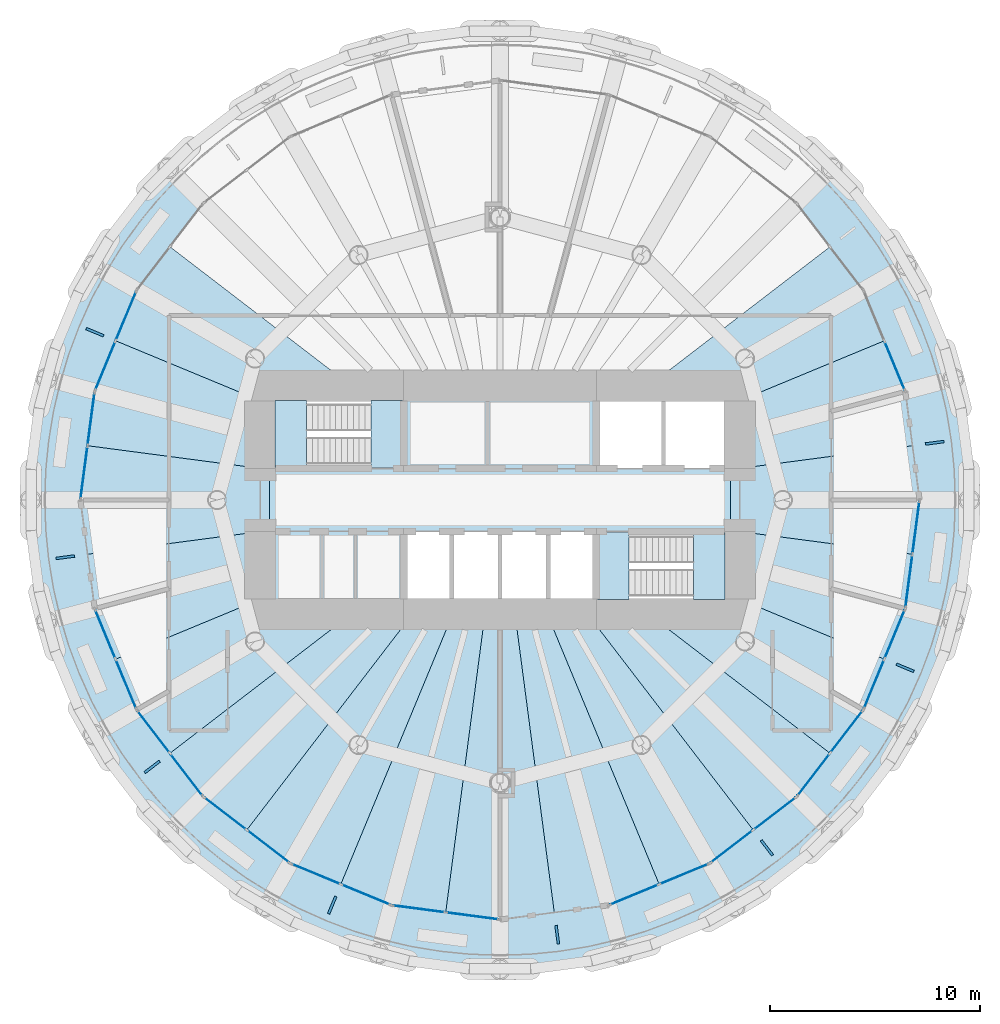
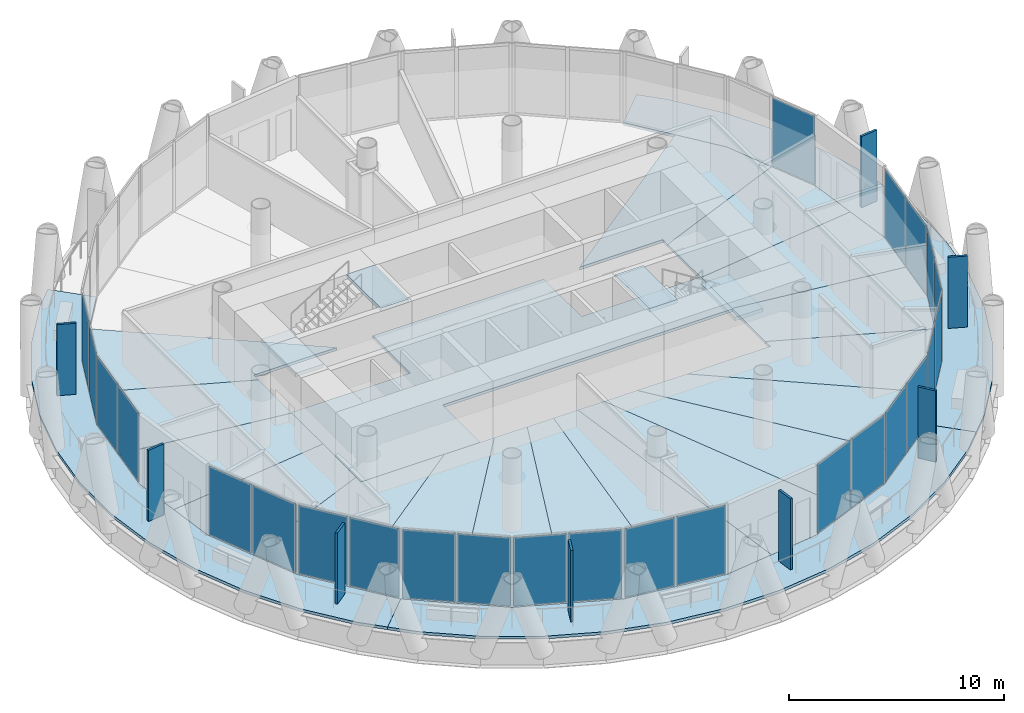
# One storey, part 7 of 14: 33 plates, 25 slabs, 15 elements without a shape of their own.
"""IFC4 building model written with IfcOpenShell, lengths in metres."""

from ifc_helpers import new_model, si_unit, direction, frame, origin, origin_2d, place, context, subcontext, project, spatial, polyline, rectangle, outline, extrude, material, layer, layer_set, type_object, element, aggregate, save


model = new_model("IFC4")

# Units and contexts
model_context = context("Model", 3, precision=1e-05, world=origin(), true_north=direction((0.0, 1.0)))
body_context = subcontext(model_context, "Body", "Model", "MODEL_VIEW")
ifc_project = project(units=[si_unit("LENGTHUNIT", "METRE"), si_unit("AREAUNIT", "SQUARE_METRE"), si_unit("VOLUMEUNIT", "CUBIC_METRE"), si_unit("PLANEANGLEUNIT", "RADIAN"), si_unit("MASSUNIT", "GRAM", prefix="KILO")], contexts=[model_context])

# Site, building, storey
site_placement = place(None, origin())
site = spatial("IfcSite", under=ifc_project, at=site_placement, CompositionType="ELEMENT")
building_placement = place(site_placement, origin())
building = spatial("IfcBuilding", under=site, at=building_placement, Name="Qaws Media Tower", CompositionType="ELEMENT")
storey_placement = place(building_placement, frame((0.0, 0.0, 240.199951171875)))
storey = spatial("IfcBuildingStorey", under=building, at=storey_placement, Name="L55", CompositionType="ELEMENT", Elevation=240.199951171875)

# Slabs
ifc_material_1 = material(Name="Concrete C35/45", Category="concrete")
ifc_layer_1 = layer(ifc_material_1, 0.159912109375)
ifc_layer_set_1 = layer_set([ifc_layer_1], Name="Composite balcony slab 160")
slab_type_1 = type_object("IfcSlabType", Name="Composite balcony slab 160", PredefinedType="FLOOR", material=ifc_layer_set_1)
slab_1_placement = place(storey_placement, frame((0.0, 0.0, -0.159912109375)))
element("IfcSlab", 1, at=slab_1_placement, inside=storey, type_object=slab_type_1, Name="S2 balcony slab L55 R10 to R16, movement joints on R10 and R16", PredefinedType="FLOOR", context=body_context, shape_type="SweptSolid", body=[
    extrude(outline(polyline([(43.139892578125, 35.214111328125), (41.354248046875, 37.541259765625), (39.8876953125, 40.081787109375), (38.76513671875, 42.791748046875), (38.005859375, 45.625), (37.623046875, 48.533203125), (37.623046875, 51.466796875), (38.005859375, 54.375), (38.76513671875, 57.208251953125), (39.8876953125, 59.918212890625), (41.354248046875, 62.458740234375), (43.139892578125, 64.785888671875), (44.177001953125, 65.822998046875), (45.840087890625, 64.159912109375), (42.65771484375, 60.012451171875), (40.6572265625, 55.182861328125), (39.97509765625, 50.0), (40.6572265625, 44.817138671875), (42.65771484375, 39.987548828125), (45.840087890625, 35.840087890625), (44.177001953125, 34.177001953125), (43.139892578125, 35.214111328125)])), origin(), (0.0, 0.0, 1.0), 0.159912109375),
])
slab_2_placement = place(storey_placement, frame((0.0, 0.0, -0.159912109375)))
element("IfcSlab", 2, at=slab_2_placement, inside=storey, type_object=slab_type_1, Name="S2 balcony slab L55 R16 to R22, movement joints on R16 and R22", PredefinedType="FLOOR", context=body_context, shape_type="SweptSolid", body=[
    extrude(outline(polyline([(74.785888671875, 33.139892578125), (72.458740234375, 31.354248046875), (69.918212890625, 29.8876953125), (67.208251953125, 28.76513671875), (64.375, 28.005859375), (61.466796875, 27.623046875), (58.533203125, 27.623046875), (55.625, 28.005859375), (52.791748046875, 28.76513671875), (50.081787109375, 29.8876953125), (47.541259765625, 31.354248046875), (45.214111328125, 33.139892578125), (44.177001953125, 34.177001953125), (45.840087890625, 35.840087890625), (49.987548828125, 32.65771484375), (54.817138671875, 30.6572265625), (60.0, 29.97509765625), (65.182861328125, 30.6572265625), (70.012451171875, 32.65771484375), (74.159912109375, 35.840087890625), (75.822998046875, 34.177001953125), (74.785888671875, 33.139892578125)])), origin(), (0.0, 0.0, 1.0), 0.159912109375),
])
slab_3_placement = place(storey_placement, frame((0.0, 0.0, -0.159912109375)))
element("IfcSlab", 3, at=slab_3_placement, inside=storey, type_object=slab_type_1, Name="S2 balcony slab L55 R22 to R04, movement joints on R22 and R04", PredefinedType="FLOOR", context=body_context, shape_type="SweptSolid", body=[
    extrude(outline(polyline([(81.994140625, 45.625), (81.23486328125, 42.791748046875), (80.1123046875, 40.081787109375), (78.645751953125, 37.541259765625), (76.860107421875, 35.214111328125), (75.822998046875, 34.177001953125), (74.159912109375, 35.840087890625), (77.34228515625, 39.987548828125), (79.3427734375, 44.817138671875), (80.02490234375, 50.0), (79.3427734375, 55.182861328125), (77.34228515625, 60.012451171875), (74.159912109375, 64.159912109375), (75.822998046875, 65.822998046875), (76.860107421875, 64.785888671875), (78.645751953125, 62.458740234375), (80.1123046875, 59.918212890625), (81.23486328125, 57.208251953125), (81.994140625, 54.375), (82.376953125, 51.466796875), (82.376953125, 48.533203125), (81.994140625, 45.625)])), origin(), (0.0, 0.0, 1.0), 0.159912109375),
])
ifc_material_2 = material(Name="Concrete C35/45", Category="concrete")
ifc_layer_2 = layer(ifc_material_2, 0.159912109375)
ifc_layer_set_2 = layer_set([ifc_layer_2], Name="Composite floor slab 160")
slab_type_2 = type_object("IfcSlabType", Name="Composite floor slab 160", PredefinedType="FLOOR", material=ifc_layer_set_2)
slab_4_placement = place(storey_placement, frame((0.0, 0.0, -0.159912109375)))
element("IfcSlab", 4, at=slab_4_placement, inside=storey, type_object=slab_type_2, Name="S1 core floor slab L55", PredefinedType="FLOOR", context=body_context, shape_type="SweptSolid", body=[
    extrude(outline(polyline([(71.0, 51.5), (71.0, 48.5), (55.39990234375, 48.5), (55.39990234375, 45.0), (49.0, 45.0), (49.0, 51.5), (55.39990234375, 51.5), (55.39990234375, 55.0), (64.60009765625, 55.0), (64.60009765625, 51.5), (71.0, 51.5)])), origin(), (0.0, 0.0, 1.0), 0.159912109375),
])
slab_5_placement = place(storey_placement, frame((0.0, 0.0, -0.159912109375)))
element("IfcSlab", 5, at=slab_5_placement, inside=storey, type_object=slab_type_2, Name="S1 floor panel L55 on R01", PredefinedType="FLOOR", context=body_context, shape_type="SweptSolid", body=[
    extrude(outline(polyline([(80.02490234375, 50.0), (79.683837890625, 47.40869140625), (71.0, 48.5517578125), (71.0, 51.4482421875), (79.683837890625, 52.59130859375), (80.02490234375, 50.0)])), origin(), (0.0, 0.0, 1.0), 0.159912109375),
])
slab_6_placement = place(storey_placement, frame((0.0, 0.0, -0.159912109375)))
element("IfcSlab", 6, at=slab_6_placement, inside=storey, type_object=slab_type_2, Name="S1 floor panel L55 on R02", PredefinedType="FLOOR", context=body_context, shape_type="SweptSolid", body=[
    extrude(outline(polyline([(79.3427734375, 55.182861328125), (79.683837890625, 52.59130859375), (71.0, 51.4482421875), (71.0, 54.556396484375), (78.34228515625, 57.59765625), (79.3427734375, 55.182861328125)])), origin(), (0.0, 0.0, 1.0), 0.159912109375),
])
slab_7_placement = place(storey_placement, frame((0.0, 0.0, -0.159912109375)))
element("IfcSlab", 7, at=slab_7_placement, inside=storey, type_object=slab_type_2, Name="S1 floor panel L55 on R03", PredefinedType="FLOOR", context=body_context, shape_type="SweptSolid", body=[
    extrude(outline(polyline([(77.34228515625, 60.012451171875), (78.34228515625, 57.59765625), (71.0, 54.556396484375), (71.0, 55.0), (66.51611328125, 55.0), (75.7509765625, 62.086181640625), (77.34228515625, 60.012451171875)])), origin(), (0.0, 0.0, 1.0), 0.159912109375),
])
slab_8_placement = place(storey_placement, frame((0.0, 0.0, -0.159912109375)))
element("IfcSlab", 8, at=slab_8_placement, inside=storey, type_object=slab_type_2, Name="S1 floor panel L55 on R11", PredefinedType="FLOOR", context=body_context, shape_type="SweptSolid", body=[
    extrude(outline(polyline([(42.65771484375, 60.012451171875), (44.2490234375, 62.086181640625), (53.48388671875, 55.0), (49.0, 55.0), (49.0, 54.556396484375), (41.65771484375, 57.59765625), (42.65771484375, 60.012451171875)])), origin(), (0.0, 0.0, 1.0), 0.159912109375),
])
slab_9_placement = place(storey_placement, frame((0.0, 0.0, -0.159912109375)))
element("IfcSlab", 9, at=slab_9_placement, inside=storey, type_object=slab_type_2, Name="S1 floor panel L55 on R12", PredefinedType="FLOOR", context=body_context, shape_type="SweptSolid", body=[
    extrude(outline(polyline([(40.6572265625, 55.182861328125), (41.65771484375, 57.59765625), (49.0, 54.556396484375), (49.0, 51.4482421875), (40.316162109375, 52.59130859375), (40.6572265625, 55.182861328125)])), origin(), (0.0, 0.0, 1.0), 0.159912109375),
])
slab_10_placement = place(storey_placement, frame((0.0, 0.0, -0.159912109375)))
element("IfcSlab", 10, at=slab_10_placement, inside=storey, type_object=slab_type_2, Name="S1 floor panel L55 on R13", PredefinedType="FLOOR", context=body_context, shape_type="SweptSolid", body=[
    extrude(outline(polyline([(39.97509765625, 50.0), (40.316162109375, 52.59130859375), (49.0, 51.4482421875), (49.0, 48.5517578125), (40.316162109375, 47.40869140625), (39.97509765625, 50.0)])), origin(), (0.0, 0.0, 1.0), 0.159912109375),
])
slab_11_placement = place(storey_placement, frame((0.0, 0.0, -0.159912109375)))
element("IfcSlab", 11, at=slab_11_placement, inside=storey, type_object=slab_type_2, Name="S1 floor panel L55 on R14", PredefinedType="FLOOR", context=body_context, shape_type="SweptSolid", body=[
    extrude(outline(polyline([(40.6572265625, 44.817138671875), (40.316162109375, 47.40869140625), (49.0, 48.5517578125), (49.0, 45.443603515625), (41.65771484375, 42.40234375), (40.6572265625, 44.817138671875)])), origin(), (0.0, 0.0, 1.0), 0.159912109375),
])
slab_12_placement = place(storey_placement, frame((0.0, 0.0, -0.159912109375)))
element("IfcSlab", 12, at=slab_12_placement, inside=storey, type_object=slab_type_2, Name="S1 floor panel L55 on R15", PredefinedType="FLOOR", context=body_context, shape_type="SweptSolid", body=[
    extrude(outline(polyline([(42.65771484375, 39.987548828125), (41.65771484375, 42.40234375), (49.0, 45.443603515625), (49.0, 45.0), (53.48388671875, 45.0), (44.2490234375, 37.913818359375), (42.65771484375, 39.987548828125)])), origin(), (0.0, 0.0, 1.0), 0.159912109375),
])
slab_13_placement = place(storey_placement, frame((0.0, 0.0, -0.159912109375)))
element("IfcSlab", 13, at=slab_13_placement, inside=storey, type_object=slab_type_2, Name="S1 floor panel L55 on R16", PredefinedType="FLOOR", context=body_context, shape_type="SweptSolid", body=[
    extrude(outline(polyline([(45.840087890625, 35.840087890625), (44.2490234375, 37.913818359375), (53.48388671875, 45.0), (56.163330078125, 45.0), (47.913818359375, 34.2490234375), (45.840087890625, 35.840087890625)])), origin(), (0.0, 0.0, 1.0), 0.159912109375),
])
slab_14_placement = place(storey_placement, frame((0.0, 0.0, -0.159912109375)))
element("IfcSlab", 14, at=slab_14_placement, inside=storey, type_object=slab_type_2, Name="S1 floor panel L55 on R17", PredefinedType="FLOOR", context=body_context, shape_type="SweptSolid", body=[
    extrude(outline(polyline([(49.987548828125, 32.65771484375), (47.913818359375, 34.2490234375), (56.163330078125, 45.0), (57.928955078125, 45.0), (52.40234375, 31.65771484375), (49.987548828125, 32.65771484375)])), origin(), (0.0, 0.0, 1.0), 0.159912109375),
])
slab_15_placement = place(storey_placement, frame((0.0, 0.0, -0.159912109375)))
element("IfcSlab", 15, at=slab_15_placement, inside=storey, type_object=slab_type_2, Name="S1 floor panel L55 on R18", PredefinedType="FLOOR", context=body_context, shape_type="SweptSolid", body=[
    extrude(outline(polyline([(54.817138671875, 30.6572265625), (52.40234375, 31.65771484375), (57.928955078125, 45.0), (59.341796875, 45.0), (57.40869140625, 30.316162109375), (54.817138671875, 30.6572265625)])), origin(), (0.0, 0.0, 1.0), 0.159912109375),
])
slab_16_placement = place(storey_placement, frame((0.0, 0.0, -0.159912109375)))
element("IfcSlab", 16, at=slab_16_placement, inside=storey, type_object=slab_type_2, Name="S1 floor panel L55 on R19", PredefinedType="FLOOR", context=body_context, shape_type="SweptSolid", body=[
    extrude(outline(polyline([(60.0, 29.97509765625), (57.40869140625, 30.316162109375), (59.341796875, 45.0), (60.658203125, 45.0), (62.59130859375, 30.316162109375), (60.0, 29.97509765625)])), origin(), (0.0, 0.0, 1.0), 0.159912109375),
])
slab_17_placement = place(storey_placement, frame((0.0, 0.0, -0.159912109375)))
element("IfcSlab", 17, at=slab_17_placement, inside=storey, type_object=slab_type_2, Name="S1 floor panel L55 on R20", PredefinedType="FLOOR", context=body_context, shape_type="SweptSolid", body=[
    extrude(outline(polyline([(65.182861328125, 30.6572265625), (62.59130859375, 30.316162109375), (60.658203125, 45.0), (62.071044921875, 45.0), (67.59765625, 31.65771484375), (65.182861328125, 30.6572265625)])), origin(), (0.0, 0.0, 1.0), 0.159912109375),
])
slab_18_placement = place(storey_placement, frame((0.0, 0.0, -0.159912109375)))
element("IfcSlab", 18, at=slab_18_placement, inside=storey, type_object=slab_type_2, Name="S1 floor panel L55 on R21", PredefinedType="FLOOR", context=body_context, shape_type="SweptSolid", body=[
    extrude(outline(polyline([(70.012451171875, 32.65771484375), (67.59765625, 31.65771484375), (62.071044921875, 45.0), (63.836669921875, 45.0), (72.086181640625, 34.2490234375), (70.012451171875, 32.65771484375)])), origin(), (0.0, 0.0, 1.0), 0.159912109375),
])
slab_19_placement = place(storey_placement, frame((0.0, 0.0, -0.159912109375)))
element("IfcSlab", 19, at=slab_19_placement, inside=storey, type_object=slab_type_2, Name="S1 floor panel L55 on R22", PredefinedType="FLOOR", context=body_context, shape_type="SweptSolid", body=[
    extrude(outline(polyline([(74.159912109375, 35.840087890625), (72.086181640625, 34.2490234375), (63.836669921875, 45.0), (66.51611328125, 45.0), (75.7509765625, 37.913818359375), (74.159912109375, 35.840087890625)])), origin(), (0.0, 0.0, 1.0), 0.159912109375),
])
slab_20_placement = place(storey_placement, frame((0.0, 0.0, -0.159912109375)))
element("IfcSlab", 20, at=slab_20_placement, inside=storey, type_object=slab_type_2, Name="S1 floor panel L55 on R23", PredefinedType="FLOOR", context=body_context, shape_type="SweptSolid", body=[
    extrude(outline(polyline([(77.34228515625, 39.987548828125), (75.7509765625, 37.913818359375), (66.51611328125, 45.0), (71.0, 45.0), (71.0, 45.443603515625), (78.34228515625, 42.40234375), (77.34228515625, 39.987548828125)])), origin(), (0.0, 0.0, 1.0), 0.159912109375),
])
slab_21_placement = place(storey_placement, frame((0.0, 0.0, -0.159912109375)))
element("IfcSlab", 21, at=slab_21_placement, inside=storey, type_object=slab_type_2, Name="S1 floor panel L55 on R24", PredefinedType="FLOOR", context=body_context, shape_type="SweptSolid", body=[
    extrude(outline(polyline([(78.34228515625, 42.40234375), (71.0, 45.443603515625), (71.0, 48.5517578125), (79.683837890625, 47.40869140625), (79.3427734375, 44.817138671875), (78.34228515625, 42.40234375)])), origin(), (0.0, 0.0, 1.0), 0.159912109375),
])

# Curtain wall, plate
ifc_material_3 = material(Name="Aluminium and clear glass", Category="aluminium")
curtain_wall_type = type_object("IfcCurtainWallType", Name="Unitised curtain wall CW-C", PredefinedType="NOTDEFINED", material=ifc_material_3)
curtain_wall_1_placement = place(storey_placement, origin())
curtain_wall_1 = element("IfcCurtainWall", 22, at=curtain_wall_1_placement, inside=storey, type_object=curtain_wall_type, Name="CWC curtain wall L55-02", PredefinedType="NOTDEFINED")
ifc_material_4 = material(Name="Clear laminated double glazing", Category="glass")
ifc_layer_3 = layer(ifc_material_4, 0.031982421875)
ifc_layer_set_3 = layer_set([ifc_layer_3], Name="Curtain wall glass unit 32")
plate_type_1 = type_object("IfcPlateType", Name="Curtain wall glass unit 32", PredefinedType="CURTAIN_PANEL", material=ifc_layer_set_3)
plate_1_placement = place(storey_placement, frame((78.8349609375, 56.40869140625, 0.080078125), z_axis=(0.0, 0.0, 1.0), x_axis=(-0.382683413209, 0.923879540446, 0.0)))
plate_1 = element("IfcPlate", 23, at=plate_1_placement, type_object=plate_type_1, Name="CWC panel 1.1", PredefinedType="CURTAIN_PANEL", context=body_context, shape_type="SweptSolid", body=[
    extrude(rectangle(XDim=2.493896484375, YDim=0.031982421875, at=origin_2d()), origin(), (0.0, 0.0, 1.0), 3.8798828125),
])
aggregate(curtain_wall_1, [plate_1])

# Curtain wall, plates
curtain_wall_2_placement = place(storey_placement, origin())
curtain_wall_2 = element("IfcCurtainWall", 24, at=curtain_wall_2_placement, inside=storey, type_object=curtain_wall_type, Name="CWC curtain wall L55-11", PredefinedType="NOTDEFINED")
plate_2_placement = place(storey_placement, frame((42.150146484375, 58.78662109375, 0.080078125), z_axis=(0.0, 0.0, 1.0), x_axis=(-0.382683413209, -0.923879540446, 0.0)))
plate_2 = element("IfcPlate", 25, at=plate_2_placement, type_object=plate_type_1, Name="CWC panel 1.1", PredefinedType="CURTAIN_PANEL", context=body_context, shape_type="SweptSolid", body=[
    extrude(rectangle(XDim=2.493896484375, YDim=0.031982421875, at=origin_2d()), origin(), (0.0, 0.0, 1.0), 3.8798828125),
])
plate_3_placement = place(storey_placement, frame((41.1650390625, 56.40869140625, 0.080078125), z_axis=(0.0, 0.0, 1.0), x_axis=(-0.382683413209, -0.923879540446, 0.0)))
plate_3 = element("IfcPlate", 26, at=plate_3_placement, type_object=plate_type_1, Name="CWC panel 2.1", PredefinedType="CURTAIN_PANEL", context=body_context, shape_type="SweptSolid", body=[
    extrude(rectangle(XDim=2.493896484375, YDim=0.031982421875, at=origin_2d()), origin(), (0.0, 0.0, 1.0), 3.8798828125),
])
aggregate(curtain_wall_2, [plate_2, plate_3])

curtain_wall_3_placement = place(storey_placement, origin())
curtain_wall_3 = element("IfcCurtainWall", 27, at=curtain_wall_3_placement, inside=storey, type_object=curtain_wall_type, Name="CWC curtain wall L55-12", PredefinedType="NOTDEFINED")
plate_4_placement = place(storey_placement, frame((40.484130859375, 53.8671875, 0.080078125), z_axis=(0.0, 0.0, 1.0), x_axis=(-0.130526139806, -0.991444868274, 0.0)))
plate_4 = element("IfcPlate", 28, at=plate_4_placement, type_object=plate_type_1, Name="CWC panel 1.1", PredefinedType="CURTAIN_PANEL", context=body_context, shape_type="SweptSolid", body=[
    extrude(rectangle(XDim=2.493896484375, YDim=0.031982421875, at=origin_2d()), origin(), (0.0, 0.0, 1.0), 3.8798828125),
])
plate_5_placement = place(storey_placement, frame((40.148193359375, 51.3154296875, 0.080078125), z_axis=(0.0, 0.0, 1.0), x_axis=(-0.130526139806, -0.991444868274, 0.0)))
plate_5 = element("IfcPlate", 29, at=plate_5_placement, type_object=plate_type_1, Name="CWC panel 2.1", PredefinedType="CURTAIN_PANEL", context=body_context, shape_type="SweptSolid", body=[
    extrude(rectangle(XDim=2.493896484375, YDim=0.031982421875, at=origin_2d()), origin(), (0.0, 0.0, 1.0), 3.8798828125),
])
aggregate(curtain_wall_3, [plate_4, plate_5])

curtain_wall_4_placement = place(storey_placement, origin())
curtain_wall_4 = element("IfcCurtainWall", 30, at=curtain_wall_4_placement, inside=storey, type_object=curtain_wall_type, Name="CWC curtain wall L55-14", PredefinedType="NOTDEFINED")
plate_6_placement = place(storey_placement, frame((41.1650390625, 43.59130859375, 0.080078125), z_axis=(0.0, 0.0, 1.0), x_axis=(0.382683413209, -0.923879540446, 0.0)))
plate_6 = element("IfcPlate", 31, at=plate_6_placement, type_object=plate_type_1, Name="CWC panel 1.1", PredefinedType="CURTAIN_PANEL", context=body_context, shape_type="SweptSolid", body=[
    extrude(rectangle(XDim=2.493896484375, YDim=0.031982421875, at=origin_2d()), origin(), (0.0, 0.0, 1.0), 3.8798828125),
])
plate_7_placement = place(storey_placement, frame((42.150146484375, 41.21337890625, 0.080078125), z_axis=(0.0, 0.0, 1.0), x_axis=(0.382683413209, -0.923879540446, 0.0)))
plate_7 = element("IfcPlate", 32, at=plate_7_placement, type_object=plate_type_1, Name="CWC panel 2.1", PredefinedType="CURTAIN_PANEL", context=body_context, shape_type="SweptSolid", body=[
    extrude(rectangle(XDim=2.493896484375, YDim=0.031982421875, at=origin_2d()), origin(), (0.0, 0.0, 1.0), 3.8798828125),
])
aggregate(curtain_wall_4, [plate_6, plate_7])

curtain_wall_5_placement = place(storey_placement, origin())
curtain_wall_5 = element("IfcCurtainWall", 33, at=curtain_wall_5_placement, inside=storey, type_object=curtain_wall_type, Name="CWC curtain wall L55-15", PredefinedType="NOTDEFINED")
plate_8_placement = place(storey_placement, frame((43.465576171875, 38.934814453125, 0.080078125), z_axis=(0.0, 0.0, 1.0), x_axis=(0.60876152624, -0.793353265683, 0.0)))
plate_8 = element("IfcPlate", 34, at=plate_8_placement, type_object=plate_type_1, Name="CWC panel 1.1", PredefinedType="CURTAIN_PANEL", context=body_context, shape_type="SweptSolid", body=[
    extrude(rectangle(XDim=2.493896484375, YDim=0.031982421875, at=origin_2d()), origin(), (0.0, 0.0, 1.0), 3.8798828125),
])
plate_9_placement = place(storey_placement, frame((45.032470703125, 36.892822265625, 0.080078125), z_axis=(0.0, 0.0, 1.0), x_axis=(0.60876152624, -0.793353265683, 0.0)))
plate_9 = element("IfcPlate", 35, at=plate_9_placement, type_object=plate_type_1, Name="CWC panel 2.1", PredefinedType="CURTAIN_PANEL", context=body_context, shape_type="SweptSolid", body=[
    extrude(rectangle(XDim=2.493896484375, YDim=0.031982421875, at=origin_2d()), origin(), (0.0, 0.0, 1.0), 3.8798828125),
])
aggregate(curtain_wall_5, [plate_8, plate_9])

curtain_wall_6_placement = place(storey_placement, origin())
curtain_wall_6 = element("IfcCurtainWall", 36, at=curtain_wall_6_placement, inside=storey, type_object=curtain_wall_type, Name="CWC curtain wall L55-16", PredefinedType="NOTDEFINED")
plate_10_placement = place(storey_placement, frame((46.892822265625, 35.032470703125, 0.080078125), z_axis=(0.0, 0.0, 1.0), x_axis=(0.793353265683, -0.60876152624, 0.0)))
plate_10 = element("IfcPlate", 37, at=plate_10_placement, type_object=plate_type_1, Name="CWC panel 1.1", PredefinedType="CURTAIN_PANEL", context=body_context, shape_type="SweptSolid", body=[
    extrude(rectangle(XDim=2.493896484375, YDim=0.031982421875, at=origin_2d()), origin(), (0.0, 0.0, 1.0), 3.8798828125),
])
plate_11_placement = place(storey_placement, frame((48.934814453125, 33.465576171875, 0.080078125), z_axis=(0.0, 0.0, 1.0), x_axis=(0.793353265683, -0.60876152624, 0.0)))
plate_11 = element("IfcPlate", 38, at=plate_11_placement, type_object=plate_type_1, Name="CWC panel 2.1", PredefinedType="CURTAIN_PANEL", context=body_context, shape_type="SweptSolid", body=[
    extrude(rectangle(XDim=2.493896484375, YDim=0.031982421875, at=origin_2d()), origin(), (0.0, 0.0, 1.0), 3.8798828125),
])
aggregate(curtain_wall_6, [plate_10, plate_11])

curtain_wall_7_placement = place(storey_placement, origin())
curtain_wall_7 = element("IfcCurtainWall", 39, at=curtain_wall_7_placement, inside=storey, type_object=curtain_wall_type, Name="CWC curtain wall L55-17", PredefinedType="NOTDEFINED")
plate_12_placement = place(storey_placement, frame((51.21337890625, 32.150146484375, 0.080078125), z_axis=(0.0, 0.0, 1.0), x_axis=(0.923879540446, -0.382683413209, 0.0)))
plate_12 = element("IfcPlate", 40, at=plate_12_placement, type_object=plate_type_1, Name="CWC panel 1.1", PredefinedType="CURTAIN_PANEL", context=body_context, shape_type="SweptSolid", body=[
    extrude(rectangle(XDim=2.493896484375, YDim=0.031982421875, at=origin_2d()), origin(), (0.0, 0.0, 1.0), 3.8798828125),
])
plate_13_placement = place(storey_placement, frame((53.59130859375, 31.1650390625, 0.080078125), z_axis=(0.0, 0.0, 1.0), x_axis=(0.923879540446, -0.382683413209, 0.0)))
plate_13 = element("IfcPlate", 41, at=plate_13_placement, type_object=plate_type_1, Name="CWC panel 2.1", PredefinedType="CURTAIN_PANEL", context=body_context, shape_type="SweptSolid", body=[
    extrude(rectangle(XDim=2.493896484375, YDim=0.031982421875, at=origin_2d()), origin(), (0.0, 0.0, 1.0), 3.8798828125),
])
aggregate(curtain_wall_7, [plate_12, plate_13])

curtain_wall_8_placement = place(storey_placement, origin())
curtain_wall_8 = element("IfcCurtainWall", 42, at=curtain_wall_8_placement, inside=storey, type_object=curtain_wall_type, Name="CWC curtain wall L55-18", PredefinedType="NOTDEFINED")
plate_14_placement = place(storey_placement, frame((56.1328125, 30.484130859375, 0.080078125), z_axis=(0.0, 0.0, 1.0), x_axis=(0.991444868274, -0.130526139806, 0.0)))
plate_14 = element("IfcPlate", 43, at=plate_14_placement, type_object=plate_type_1, Name="CWC panel 1.1", PredefinedType="CURTAIN_PANEL", context=body_context, shape_type="SweptSolid", body=[
    extrude(rectangle(XDim=2.493896484375, YDim=0.031982421875, at=origin_2d()), origin(), (0.0, 0.0, 1.0), 3.8798828125),
])
plate_15_placement = place(storey_placement, frame((58.6845703125, 30.148193359375, 0.080078125), z_axis=(0.0, 0.0, 1.0), x_axis=(0.991444868274, -0.130526139806, 0.0)))
plate_15 = element("IfcPlate", 44, at=plate_15_placement, type_object=plate_type_1, Name="CWC panel 2.1", PredefinedType="CURTAIN_PANEL", context=body_context, shape_type="SweptSolid", body=[
    extrude(rectangle(XDim=2.493896484375, YDim=0.031982421875, at=origin_2d()), origin(), (0.0, 0.0, 1.0), 3.8798828125),
])
aggregate(curtain_wall_8, [plate_14, plate_15])

curtain_wall_9_placement = place(storey_placement, origin())
curtain_wall_9 = element("IfcCurtainWall", 45, at=curtain_wall_9_placement, inside=storey, type_object=curtain_wall_type, Name="CWC curtain wall L55-20", PredefinedType="NOTDEFINED")
plate_16_placement = place(storey_placement, frame((66.40869140625, 31.1650390625, 0.080078125), z_axis=(0.0, 0.0, 1.0), x_axis=(0.923879540446, 0.382683413209, 0.0)))
plate_16 = element("IfcPlate", 46, at=plate_16_placement, type_object=plate_type_1, Name="CWC panel 1.1", PredefinedType="CURTAIN_PANEL", context=body_context, shape_type="SweptSolid", body=[
    extrude(rectangle(XDim=2.493896484375, YDim=0.031982421875, at=origin_2d()), origin(), (0.0, 0.0, 1.0), 3.8798828125),
])
plate_17_placement = place(storey_placement, frame((68.78662109375, 32.150146484375, 0.080078125), z_axis=(0.0, 0.0, 1.0), x_axis=(0.923879540446, 0.382683413209, 0.0)))
plate_17 = element("IfcPlate", 47, at=plate_17_placement, type_object=plate_type_1, Name="CWC panel 2.1", PredefinedType="CURTAIN_PANEL", context=body_context, shape_type="SweptSolid", body=[
    extrude(rectangle(XDim=2.493896484375, YDim=0.031982421875, at=origin_2d()), origin(), (0.0, 0.0, 1.0), 3.8798828125),
])
aggregate(curtain_wall_9, [plate_16, plate_17])

curtain_wall_10_placement = place(storey_placement, origin())
curtain_wall_10 = element("IfcCurtainWall", 48, at=curtain_wall_10_placement, inside=storey, type_object=curtain_wall_type, Name="CWC curtain wall L55-21", PredefinedType="NOTDEFINED")
plate_18_placement = place(storey_placement, frame((71.065185546875, 33.465576171875, 0.080078125), z_axis=(0.0, 0.0, 1.0), x_axis=(0.793353265683, 0.60876152624, 0.0)))
plate_18 = element("IfcPlate", 49, at=plate_18_placement, type_object=plate_type_1, Name="CWC panel 1.1", PredefinedType="CURTAIN_PANEL", context=body_context, shape_type="SweptSolid", body=[
    extrude(rectangle(XDim=2.493896484375, YDim=0.031982421875, at=origin_2d()), origin(), (0.0, 0.0, 1.0), 3.8798828125),
])
plate_19_placement = place(storey_placement, frame((73.107177734375, 35.032470703125, 0.080078125), z_axis=(0.0, 0.0, 1.0), x_axis=(0.793353265683, 0.60876152624, 0.0)))
plate_19 = element("IfcPlate", 50, at=plate_19_placement, type_object=plate_type_1, Name="CWC panel 2.1", PredefinedType="CURTAIN_PANEL", context=body_context, shape_type="SweptSolid", body=[
    extrude(rectangle(XDim=2.493896484375, YDim=0.031982421875, at=origin_2d()), origin(), (0.0, 0.0, 1.0), 3.8798828125),
])
aggregate(curtain_wall_10, [plate_18, plate_19])

curtain_wall_11_placement = place(storey_placement, origin())
curtain_wall_11 = element("IfcCurtainWall", 51, at=curtain_wall_11_placement, inside=storey, type_object=curtain_wall_type, Name="CWC curtain wall L55-22", PredefinedType="NOTDEFINED")
plate_20_placement = place(storey_placement, frame((74.967529296875, 36.892822265625, 0.080078125), z_axis=(0.0, 0.0, 1.0), x_axis=(0.60876152624, 0.793353265683, 0.0)))
plate_20 = element("IfcPlate", 52, at=plate_20_placement, type_object=plate_type_1, Name="CWC panel 1.1", PredefinedType="CURTAIN_PANEL", context=body_context, shape_type="SweptSolid", body=[
    extrude(rectangle(XDim=2.493896484375, YDim=0.031982421875, at=origin_2d()), origin(), (0.0, 0.0, 1.0), 3.8798828125),
])
plate_21_placement = place(storey_placement, frame((76.534423828125, 38.934814453125, 0.080078125), z_axis=(0.0, 0.0, 1.0), x_axis=(0.60876152624, 0.793353265683, 0.0)))
plate_21 = element("IfcPlate", 53, at=plate_21_placement, type_object=plate_type_1, Name="CWC panel 2.1", PredefinedType="CURTAIN_PANEL", context=body_context, shape_type="SweptSolid", body=[
    extrude(rectangle(XDim=2.493896484375, YDim=0.031982421875, at=origin_2d()), origin(), (0.0, 0.0, 1.0), 3.8798828125),
])
aggregate(curtain_wall_11, [plate_20, plate_21])

curtain_wall_12_placement = place(storey_placement, origin())
curtain_wall_12 = element("IfcCurtainWall", 54, at=curtain_wall_12_placement, inside=storey, type_object=curtain_wall_type, Name="CWC curtain wall L55-23", PredefinedType="NOTDEFINED")
plate_22_placement = place(storey_placement, frame((77.849853515625, 41.21337890625, 0.080078125), z_axis=(0.0, 0.0, 1.0), x_axis=(0.382683413209, 0.923879540446, 0.0)))
plate_22 = element("IfcPlate", 55, at=plate_22_placement, type_object=plate_type_1, Name="CWC panel 1.1", PredefinedType="CURTAIN_PANEL", context=body_context, shape_type="SweptSolid", body=[
    extrude(rectangle(XDim=2.493896484375, YDim=0.031982421875, at=origin_2d()), origin(), (0.0, 0.0, 1.0), 3.8798828125),
])
plate_23_placement = place(storey_placement, frame((78.8349609375, 43.59130859375, 0.080078125), z_axis=(0.0, 0.0, 1.0), x_axis=(0.382683413209, 0.923879540446, 0.0)))
plate_23 = element("IfcPlate", 56, at=plate_23_placement, type_object=plate_type_1, Name="CWC panel 2.1", PredefinedType="CURTAIN_PANEL", context=body_context, shape_type="SweptSolid", body=[
    extrude(rectangle(XDim=2.493896484375, YDim=0.031982421875, at=origin_2d()), origin(), (0.0, 0.0, 1.0), 3.8798828125),
])
aggregate(curtain_wall_12, [plate_22, plate_23])

curtain_wall_13_placement = place(storey_placement, origin())
curtain_wall_13 = element("IfcCurtainWall", 57, at=curtain_wall_13_placement, inside=storey, type_object=curtain_wall_type, Name="CWC curtain wall L55-24", PredefinedType="NOTDEFINED")
plate_24_placement = place(storey_placement, frame((79.515869140625, 46.1328125, 0.080078125), z_axis=(0.0, 0.0, 1.0), x_axis=(0.130526139806, 0.991444868274, 0.0)))
plate_24 = element("IfcPlate", 58, at=plate_24_placement, type_object=plate_type_1, Name="CWC panel 1.1", PredefinedType="CURTAIN_PANEL", context=body_context, shape_type="SweptSolid", body=[
    extrude(rectangle(XDim=2.493896484375, YDim=0.031982421875, at=origin_2d()), origin(), (0.0, 0.0, 1.0), 3.8798828125),
])
plate_25_placement = place(storey_placement, frame((79.851806640625, 48.6845703125, 0.080078125), z_axis=(0.0, 0.0, 1.0), x_axis=(0.130526139806, 0.991444868274, 0.0)))
plate_25 = element("IfcPlate", 59, at=plate_25_placement, type_object=plate_type_1, Name="CWC panel 2.1", PredefinedType="CURTAIN_PANEL", context=body_context, shape_type="SweptSolid", body=[
    extrude(rectangle(XDim=2.493896484375, YDim=0.031982421875, at=origin_2d()), origin(), (0.0, 0.0, 1.0), 3.8798828125),
])
aggregate(curtain_wall_13, [plate_24, plate_25])

# Plates
ifc_material_5 = material(Name="Precast concrete screen fin", Category="concrete")
ifc_layer_4 = layer(ifc_material_5, 0.1201171875)
ifc_layer_set_4 = layer_set([ifc_layer_4], Name="Screen fin 120x900")
plate_type_2 = type_object("IfcPlateType", Name="Screen fin 120x900", PredefinedType="USERDEFINED", material=ifc_layer_set_4)
for number, where, z_axis, x_axis, name in (
    (60, (80.74609375, 52.731201171875, 0.0), (0.0, 0.0, 1.0), (0.991444861374, 0.13052619222, 0.0), "SCR1 screen fin L55-01"),
    (61, (40.667724609375, 58.007568359375, 0.0), (0.0, 0.0, 1.0), (-0.923879532511, 0.382683432365, 0.0), "SCR1 screen fin L55-06"),
    (62, (39.25390625, 47.268798828125, 0.0), (0.0, 0.0, 1.0), (-0.991444861374, -0.13052619222, 0.0), "SCR1 screen fin L55-07"),
    (63, (43.399169921875, 37.26171875, 0.0), (0.0, 0.0, 1.0), (-0.793353340291, -0.608761429009, 0.0), "SCR1 screen fin L55-08"),
    (64, (51.992431640625, 30.667724609375, 0.0), (0.0, 0.0, 1.0), (-0.382683432365, -0.923879532511, 0.0), "SCR1 screen fin L55-09"),
    (65, (62.731201171875, 29.25390625, 0.0), (0.0, 0.0, 1.0), (0.13052619222, -0.991444861374, 0.0), "SCR1 screen fin L55-10"),
    (66, (72.73828125, 33.399169921875, 0.0), (0.0, 0.0, 1.0), (0.608761429009, -0.793353340291, 0.0), "SCR1 screen fin L55-11"),
    (67, (79.332275390625, 41.992431640625, 0.0), (0.0, 0.0, 1.0), (0.923879532511, -0.382683432365, 0.0), "SCR1 screen fin L55-12"),
):
    element("IfcPlate", number, at=place(storey_placement, frame(where, z_axis=z_axis, x_axis=x_axis)), inside=storey, type_object=plate_type_2, Name=name, ObjectType="SCREEN", PredefinedType="USERDEFINED", context=body_context, shape_type="SweptSolid", body=[
        extrude(rectangle(XDim=0.89990234375, YDim=0.1201171875, at=origin_2d()), origin(), (0.0, 0.0, 1.0), 4.0400390625),
    ])

# Stair, slabs
ifc_material_6 = material(Name="Concrete C40/50", Category="concrete")
stair_type = type_object("IfcStairType", Name="Exit stair", PredefinedType="HALF_TURN_STAIR", material=ifc_material_6)
stair_1_placement = place(storey_placement, origin())
stair_1 = element("IfcStair", 68, at=stair_1_placement, inside=storey, type_object=stair_type, Name="S1 exit stair L55", PredefinedType="HALF_TURN_STAIR")
ifc_material_7 = material(Name="Concrete C40/50", Category="concrete")
ifc_layer_5 = layer(ifc_material_7, 0.199951171875)
ifc_layer_set_5 = layer_set([ifc_layer_5], Name="Stair landing 200")
slab_type_3 = type_object("IfcSlabType", Name="Stair landing 200", PredefinedType="LANDING", material=ifc_layer_set_5)
slab_22_placement = place(storey_placement, frame((0.0, 0.0, 1.900146484375)))
slab_22 = element("IfcSlab", 69, at=slab_22_placement, type_object=slab_type_3, Name="S1 landing 1", PredefinedType="LANDING", context=body_context, shape_type="SweptSolid", body=[
    extrude(outline(polyline([(49.25, 51.550048828125), (50.760009765625, 51.550048828125), (50.760009765625, 54.75), (49.25, 54.75), (49.25, 51.550048828125)])), origin(), (0.0, 0.0, 1.0), 0.199951171875),
])
slab_23_placement = place(storey_placement, frame((0.0, 0.0, 4.0)))
slab_23 = element("IfcSlab", 70, at=slab_23_placement, type_object=slab_type_3, Name="S1 landing 2", PredefinedType="LANDING", context=body_context, shape_type="SweptSolid", body=[
    extrude(outline(polyline([(53.840087890625, 51.550048828125), (55.35009765625, 51.550048828125), (55.35009765625, 54.75), (53.840087890625, 54.75), (53.840087890625, 51.550048828125)])), origin(), (0.0, 0.0, 1.0), 0.199951171875),
])
aggregate(stair_1, [slab_22, slab_23])

stair_2_placement = place(storey_placement, origin())
stair_2 = element("IfcStair", 71, at=stair_2_placement, inside=storey, type_object=stair_type, Name="S2 exit stair L55", PredefinedType="HALF_TURN_STAIR")
slab_24_placement = place(storey_placement, frame((0.0, 0.0, 1.900146484375)))
slab_24 = element("IfcSlab", 72, at=slab_24_placement, type_object=slab_type_3, Name="S2 landing 1", PredefinedType="LANDING", context=body_context, shape_type="SweptSolid", body=[
    extrude(outline(polyline([(69.239990234375, 45.25), (70.75, 45.25), (70.75, 48.449951171875), (69.239990234375, 48.449951171875), (69.239990234375, 45.25)])), origin(), (0.0, 0.0, 1.0), 0.199951171875),
])
slab_25_placement = place(storey_placement, frame((0.0, 0.0, 4.0)))
slab_25 = element("IfcSlab", 73, at=slab_25_placement, type_object=slab_type_3, Name="S2 landing 2", PredefinedType="LANDING", context=body_context, shape_type="SweptSolid", body=[
    extrude(outline(polyline([(64.64990234375, 45.25), (66.159912109375, 45.25), (66.159912109375, 48.449951171875), (64.64990234375, 48.449951171875), (64.64990234375, 45.25)])), origin(), (0.0, 0.0, 1.0), 0.199951171875),
])
aggregate(stair_2, [slab_24, slab_25])

save(model, "model.ifc")
